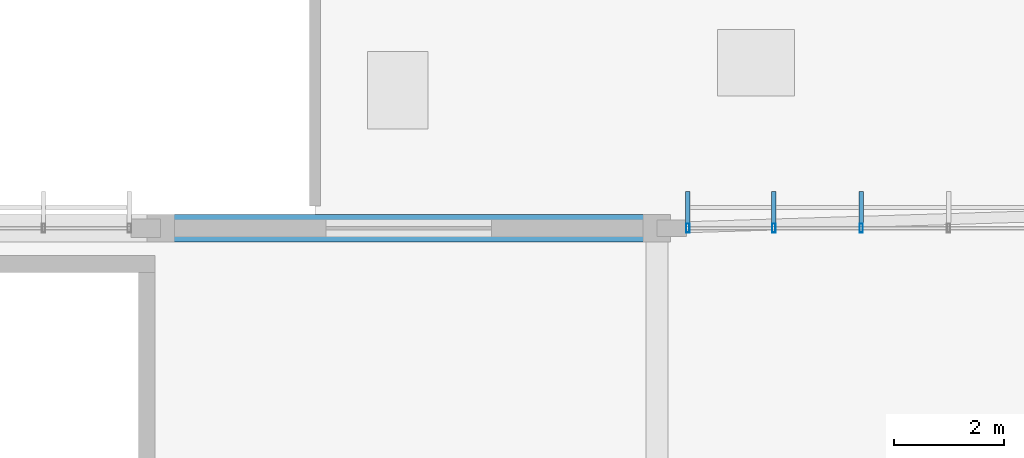
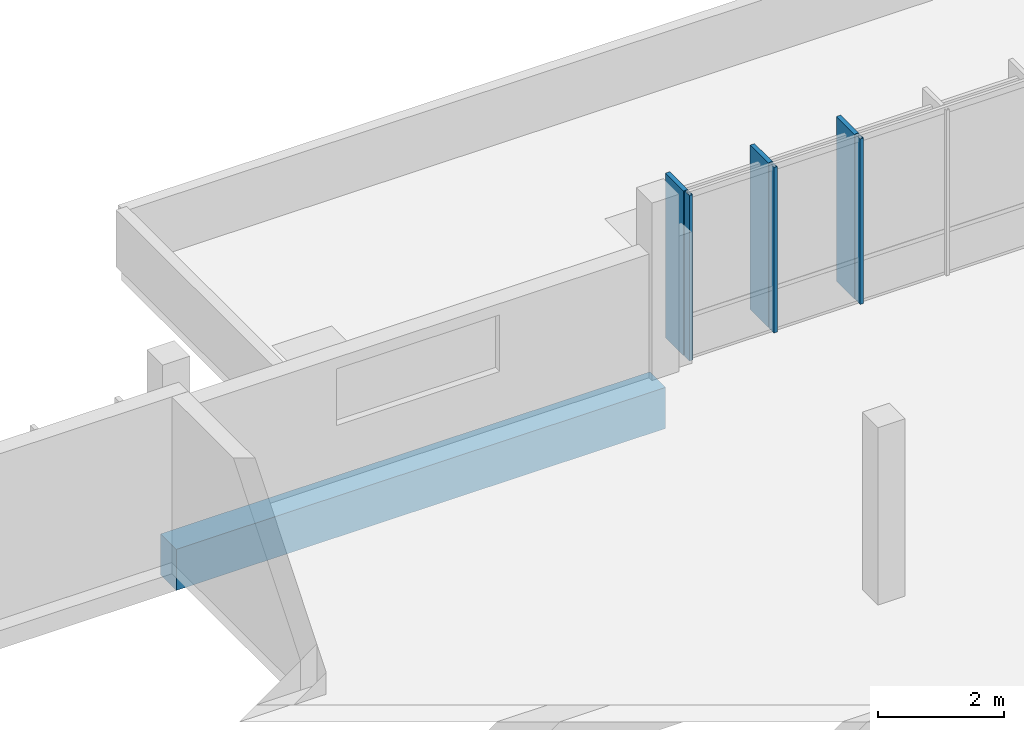
# One storey, part 15 of 24: 6 members, 1 beam, 1 element without a shape of its own.
"""IFC4 building model written with IfcOpenShell, lengths in metres."""

import ifcopenshell
import ifcopenshell.guid

model = None  # the IFC model being written
_history = None  # IfcOwnerHistory: only IFC2X3 demands one
_inside = {}  # id of a spatial element -> (the spatial element, [elements in it])
_under = {}  # id of a project, library or spatial element -> (it, [spatial elements below it])
_declared = {}  # id of a project -> (the project, [libraries it declares])
_typed = {}  # id of a type object -> (the type object, [elements of that type])
_made_of = {}  # id of a material, layer set ... -> (it, [elements and type objects made of it])


def new_model(schema):
    """Start an empty IFC model of exactly this schema.

    Asked for "IFC4X3", IfcOpenShell would pick the latest addendum, in which some entities
    have other attributes; the version numbers below select the first issue.
    IFC2X3 requires an IfcOwnerHistory on every rooted entity: one is made here for all.
    """
    global model, _history
    if schema == "IFC4X3":
        model = ifcopenshell.file(schema_version=(4, 3, 0, 0))
    else:
        model = ifcopenshell.file(schema=schema)
    _inside.clear()
    _under.clear()
    _declared.clear()
    _typed.clear()
    _made_of.clear()
    _history = None
    if model.schema == "IFC2X3":
        org = make("IfcOrganization", Name="unknown")
        user = make(
            "IfcPersonAndOrganization",
            ThePerson=make("IfcPerson", FamilyName="unknown"),
            TheOrganization=org,
        )
        app = make(
            "IfcApplication",
            ApplicationDeveloper=org,
            Version="unknown",
            ApplicationFullName="unknown",
            ApplicationIdentifier="unknown",
        )
        _history = make(
            "IfcOwnerHistory",
            OwningUser=user,
            OwningApplication=app,
            ChangeAction="ADDED",
            CreationDate=0,
        )
    return model


def make(cls, **values):
    """One entity of the class cls with the attributes given. An attribute that is None is left unset."""
    return model.create_entity(
        cls, **{name: value for name, value in values.items() if value is not None}
    )


def rooted(cls, **values):
    """An entity with a GlobalId (a new one), such as an element, a storey or a relation."""
    return make(cls, GlobalId=ifcopenshell.guid.new(), OwnerHistory=_history, **values)


def si_unit(unit_type, name, prefix=None):
    """IfcSIUnit, for example si_unit("LENGTHUNIT", "METRE", prefix="MILLI")."""
    return make("IfcSIUnit", UnitType=unit_type, Prefix=prefix, Name=name)


def assignment(units):
    """IfcUnitAssignment: the units of a project."""
    return None if units is None else make("IfcUnitAssignment", Units=units)


def point(xyz):
    """IfcCartesianPoint."""
    return None if xyz is None else make("IfcCartesianPoint", Coordinates=xyz)


def direction(xyz):
    """IfcDirection."""
    return None if xyz is None else make("IfcDirection", DirectionRatios=xyz)


def frame(location, z_axis=None, x_axis=None):
    """IfcAxis2Placement3D, a coordinate frame: its origin and axes. An axis left out is left unset."""
    return make(
        "IfcAxis2Placement3D",
        Location=point(location),
        Axis=direction(z_axis),
        RefDirection=direction(x_axis),
    )


def frame_2d(location, x_axis=None):
    """IfcAxis2Placement2D, a coordinate frame in the plane: its origin and x axis."""
    return make(
        "IfcAxis2Placement2D", Location=point(location), RefDirection=direction(x_axis)
    )


def origin():
    """The frame at (0, 0, 0) with its axes left unset."""
    return frame((0.0, 0.0, 0.0))


def origin_2d():
    """The frame at (0, 0) in the plane with its x axis left unset."""
    return frame_2d((0.0, 0.0))


def place(relative_to, where):
    """IfcLocalPlacement: puts the frame where relative to a parent placement (None: the world)."""
    return make(
        "IfcLocalPlacement", PlacementRelTo=relative_to, RelativePlacement=where
    )


def context(
    kind, dimensions, precision=None, world=None, true_north=None, identifier=None
):
    """IfcGeometricRepresentationContext, for example the 3D "Model" context."""
    return make(
        "IfcGeometricRepresentationContext",
        ContextIdentifier=identifier,
        ContextType=kind,
        CoordinateSpaceDimension=dimensions,
        Precision=precision,
        WorldCoordinateSystem=world,
        TrueNorth=true_north,
    )


def subcontext(parent, identifier, kind, view, scale=None):
    """IfcGeometricRepresentationSubContext, for example "Body" below "Model"."""
    return make(
        "IfcGeometricRepresentationSubContext",
        ContextIdentifier=identifier,
        ContextType=kind,
        ParentContext=parent,
        TargetScale=scale,
        TargetView=view,
    )


def project(units=None, contexts=None):
    """IfcProject with its units and contexts."""
    return rooted(
        "IfcProject",
        Name="project",
        RepresentationContexts=contexts,
        UnitsInContext=assignment(units),
    )


def spatial(cls, under=None, at=None, **own):
    """A site, building, storey or space (cls), placed at a placement, below another one or the project."""
    s = rooted(cls, ObjectPlacement=at, **own)
    if under is not None:
        _under.setdefault(under.id(), (under, []))[1].append(s)
    return s


def profile(cls, at=None, kind="AREA", **sizes):
    """A parametric profile (cls). Its sizes go by their IFC names, for example OverallWidth=200.0."""
    return make(cls, ProfileType=kind, Position=at, **sizes)


def rectangle(**sizes):
    """IfcRectangleProfileDef."""
    return profile("IfcRectangleProfileDef", **sizes)


def hollow_rectangle(**sizes):
    """IfcRectangleHollowProfileDef."""
    return profile("IfcRectangleHollowProfileDef", **sizes)


def extrude(swept, where, along, depth):
    """IfcExtrudedAreaSolid: the profile swept, set in the frame where, extruded along a direction by depth."""
    return make(
        "IfcExtrudedAreaSolid",
        SweptArea=swept,
        Position=where,
        ExtrudedDirection=direction(along),
        Depth=depth,
    )


def shape(context_of_items, identifier, shape_type, items):
    """IfcShapeRepresentation: the items that make up one representation, for example the "Body"."""
    return make(
        "IfcShapeRepresentation",
        ContextOfItems=context_of_items,
        RepresentationIdentifier=identifier,
        RepresentationType=shape_type,
        Items=items,
    )


def material(Name=None, Category=None):
    """IfcMaterial."""
    return make("IfcMaterial", Name=Name, Category=Category)


def material_profile(
    of_material, cross_section, Name=None, Category=None, Priority=None
):
    """IfcMaterialProfile: a cross section and its material."""
    return make(
        "IfcMaterialProfile",
        Name=Name,
        Material=of_material,
        Profile=cross_section,
        Priority=Priority,
        Category=Category,
    )


def profile_set(profiles, Name=None, composite=None):
    """IfcMaterialProfileSet."""
    return make(
        "IfcMaterialProfileSet",
        Name=Name,
        MaterialProfiles=profiles,
        CompositeProfile=composite,
    )


def made_of(thing, what):
    """Note that an element or type object is made of a material, layer set ...; save() writes the relation."""
    if what is not None:
        _made_of.setdefault(what.id(), (what, []))[1].append(thing)
    return thing


def type_object(cls, material=None, **own):
    """A type object (cls), such as IfcWallType, which elements share."""
    return made_of(rooted(cls, **own), material)


def element(
    cls,
    number,
    at=None,
    inside=None,
    cuts=None,
    type_object=None,
    material=None,
    context=None,
    identifier="Body",
    shape_type=None,
    held_by="IfcProductDefinitionShape",
    body=None,
    shapes=None,
    **own,
):
    """One element of the class cls, such as IfcWall. Its Tag is "e" and its number.

    at: its placement. inside: the storey or other place that contains it. cuts: it is an
    opening in that element (IfcRelVoidsElement). A single representation is given by context,
    identifier, shape_type and body (its items); several are given by shapes. held_by: the class
    of the entity that holds the representations. save() writes the other relations.
    """
    e = rooted(cls, Tag="e%d" % number, ObjectPlacement=at, **own)
    if body is not None:
        shapes = [shape(context, identifier, shape_type, body)]
    if shapes is not None:
        e.Representation = make(held_by, Representations=shapes)
    if inside is not None:
        _inside.setdefault(inside.id(), (inside, []))[1].append(e)
    if cuts is not None:
        rooted(
            "IfcRelVoidsElement", RelatingBuildingElement=cuts, RelatedOpeningElement=e
        )
    if type_object is not None:
        _typed.setdefault(type_object.id(), (type_object, []))[1].append(e)
    return made_of(e, material)


def aggregate(whole, parts):
    """IfcRelAggregates: a whole, such as a stair, and the parts it consists of."""
    return rooted("IfcRelAggregates", RelatingObject=whole, RelatedObjects=parts)


def save(model, path):
    """Write the relations noted so far, then the file.

    IfcRelAggregates (storeys below a building ...), IfcRelContainedInSpatialStructure (elements
    in a storey), IfcRelDefinesByType, IfcRelAssociatesMaterial and IfcRelDeclares: one each for
    every whole, place, type object, material and project.
    """
    for whole, parts in _under.values():
        aggregate(whole, parts)
    for where, things in _inside.values():
        rooted(
            "IfcRelContainedInSpatialStructure",
            RelatedElements=things,
            RelatingStructure=where,
        )
    for kind, things in _typed.values():
        rooted("IfcRelDefinesByType", RelatedObjects=things, RelatingType=kind)
    for what, things in _made_of.values():
        rooted("IfcRelAssociatesMaterial", RelatedObjects=things, RelatingMaterial=what)
    for by, libraries in _declared.values():
        rooted("IfcRelDeclares", RelatingContext=by, RelatedDefinitions=libraries)
    model.write(path)


model = new_model("IFC4")

# Units and contexts
model_context = context("Model", 3, precision=1e-05, world=origin(), true_north=direction((0.0, 1.0)))
body_context = subcontext(model_context, "Body", "Model", "MODEL_VIEW")
ifc_project = project(units=[si_unit("LENGTHUNIT", "METRE"), si_unit("AREAUNIT", "SQUARE_METRE"), si_unit("VOLUMEUNIT", "CUBIC_METRE"), si_unit("PLANEANGLEUNIT", "RADIAN"), si_unit("MASSUNIT", "GRAM", prefix="KILO")], contexts=[model_context])

# Site, building, storey
site_placement = place(None, origin())
site = spatial("IfcSite", under=ifc_project, at=site_placement, CompositionType="ELEMENT")
building_placement = place(site_placement, origin())
building = spatial("IfcBuilding", under=site, at=building_placement, Name="Chiffa Square Polytechnic", CompositionType="ELEMENT")
storey_placement = place(building_placement, frame((0.0, 0.0, 26.39990234375)))
storey = spatial("IfcBuildingStorey", under=building, at=storey_placement, Name="L06", CompositionType="ELEMENT", Elevation=26.39990234375)

# Beam
ifc_material_1 = material(Name="Concrete C40/50", Category="concrete")
ifc_material_profile_1 = material_profile(ifc_material_1, rectangle(XDim=0.5, YDim=0.800048828125, at=origin_2d()), Name="RC 500x800")
ifc_profile_set_1 = profile_set([ifc_material_profile_1], Name="Concrete C40/50")
beam_type = type_object("IfcBeamType", Name="BM-RC-500X800", PredefinedType="BEAM", material=ifc_profile_set_1)
beam_placement = place(storey_placement, frame((157.199951171875, 51.0, -0.619873046875), z_axis=(1.0, 0.0, 0.0), x_axis=(0.0, 1.0, 0.0)))
element("IfcBeam", 1, at=beam_placement, inside=storey, type_object=beam_type, Name="Primary floor girder BM-V1-L06-X-1572-0510", PredefinedType="BEAM", context=body_context, shape_type="SweptSolid", body=[
    extrude(rectangle(XDim=0.5, YDim=0.800048828125, at=origin_2d()), origin(), (0.0, 0.0, 1.0), 9.0),
])

# Curtain wall, members
ifc_material_2 = material(Name="Aluminium EN AW-6060 T66 and glulam shading", Category="wood")
curtain_wall_type = type_object("IfcCurtainWallType", Name="CW-VERT-480X380", PredefinedType="USERDEFINED", material=ifc_material_2)
curtain_wall_placement = place(storey_placement, origin())
curtain_wall = element("IfcCurtainWall", 2, at=curtain_wall_placement, inside=storey, type_object=curtain_wall_type, Name="Curtain wall CW-V1-L06-142", ObjectType="CURTAIN WALL", PredefinedType="USERDEFINED")
ifc_material_3 = material(Name="Aluminium EN AW-6060 T66", Category="aluminium")
ifc_material_profile_2 = material_profile(ifc_material_3, hollow_rectangle(XDim=0.06005859375, YDim=0.159912109375, WallThickness=0.00390625, at=origin_2d()), Name="ALU 60x160x4")
ifc_profile_set_2 = profile_set([ifc_material_profile_2], Name="Aluminium EN AW-6060 T66")
member_type_1 = type_object("IfcMemberType", Name="CWM-ALU-65X150", PredefinedType="MULLION", material=ifc_profile_set_2)
member_1_placement = place(storey_placement, frame((169.907958984375, 51.0, 0.0), z_axis=(0.0, 0.0, 1.0), x_axis=(1.0, 0.0, 0.0)))
member_1 = element("IfcMember", 3, at=member_1_placement, type_object=member_type_1, Name="Curtain wall mullion CW-V1-L06-142-M03", PredefinedType="MULLION", context=body_context, shape_type="SweptSolid", body=[
    extrude(hollow_rectangle(XDim=0.06005859375, YDim=0.159912109375, WallThickness=0.00390625, at=origin_2d()), origin(), (0.0, 0.0, 1.0), 3.22021484375),
])
member_2_placement = place(storey_placement, frame((168.323974609375, 51.0, 0.0), z_axis=(0.0, 0.0, 1.0), x_axis=(1.0, 0.0, 0.0)))
member_2 = element("IfcMember", 4, at=member_2_placement, type_object=member_type_1, Name="Curtain wall mullion CW-V1-L06-142-M04", PredefinedType="MULLION", context=body_context, shape_type="SweptSolid", body=[
    extrude(hollow_rectangle(XDim=0.06005859375, YDim=0.159912109375, WallThickness=0.00390625, at=origin_2d()), origin(), (0.0, 0.0, 1.0), 3.22021484375),
])
member_3_placement = place(storey_placement, frame((166.764892578125, 51.0, 0.0), z_axis=(0.0, 0.0, 1.0), x_axis=(1.0, 0.0, 0.0)))
member_3 = element("IfcMember", 5, at=member_3_placement, type_object=member_type_1, Name="Curtain wall mullion CW-V1-L06-142-M05", PredefinedType="MULLION", context=body_context, shape_type="SweptSolid", body=[
    extrude(hollow_rectangle(XDim=0.06005859375, YDim=0.159912109375, WallThickness=0.00390625, at=origin_2d()), origin(), (0.0, 0.0, 1.0), 3.22021484375),
])
ifc_material_4 = material(Name="Glulam GL28h", Category="wood")
ifc_material_profile_3 = material_profile(ifc_material_4, rectangle(XDim=0.080078125, YDim=0.580078125, at=origin_2d()), Name="GL28h 80x580")
ifc_profile_set_3 = profile_set([ifc_material_profile_3], Name="Glulam GL28h")
member_type_2 = type_object("IfcMemberType", Name="CWM-GL-80X580", PredefinedType="MULLION", material=ifc_profile_set_3)
member_4_placement = place(storey_placement, frame((169.907958984375, 51.3720703125, 0.010009765625), z_axis=(0.0, 0.0, 1.0), x_axis=(-1.0, 0.0, 0.0)))
member_4 = element("IfcMember", 6, at=member_4_placement, type_object=member_type_2, Name="Exterior glulam solar fin CW-V1-L06-142-FN03", PredefinedType="MULLION", context=body_context, shape_type="SweptSolid", body=[
    extrude(rectangle(XDim=0.080078125, YDim=0.580078125, at=origin_2d()), origin(), (0.0, 0.0, 1.0), 3.2001953125),
])
member_5_placement = place(storey_placement, frame((168.323974609375, 51.3720703125, 0.010009765625), z_axis=(0.0, 0.0, 1.0), x_axis=(-1.0, 0.0, 0.0)))
member_5 = element("IfcMember", 7, at=member_5_placement, type_object=member_type_2, Name="Exterior glulam solar fin CW-V1-L06-142-FN04", PredefinedType="MULLION", context=body_context, shape_type="SweptSolid", body=[
    extrude(rectangle(XDim=0.080078125, YDim=0.580078125, at=origin_2d()), origin(), (0.0, 0.0, 1.0), 3.2001953125),
])
member_6_placement = place(storey_placement, frame((166.764892578125, 51.3720703125, 0.010009765625), z_axis=(0.0, 0.0, 1.0), x_axis=(-1.0, 0.0, 0.0)))
member_6 = element("IfcMember", 8, at=member_6_placement, type_object=member_type_2, Name="Exterior glulam solar fin CW-V1-L06-142-FN05", PredefinedType="MULLION", context=body_context, shape_type="SweptSolid", body=[
    extrude(rectangle(XDim=0.080078125, YDim=0.580078125, at=origin_2d()), origin(), (0.0, 0.0, 1.0), 3.2001953125),
])
aggregate(curtain_wall, [member_1, member_4, member_2, member_5, member_3, member_6])

save(model, "model.ifc")
